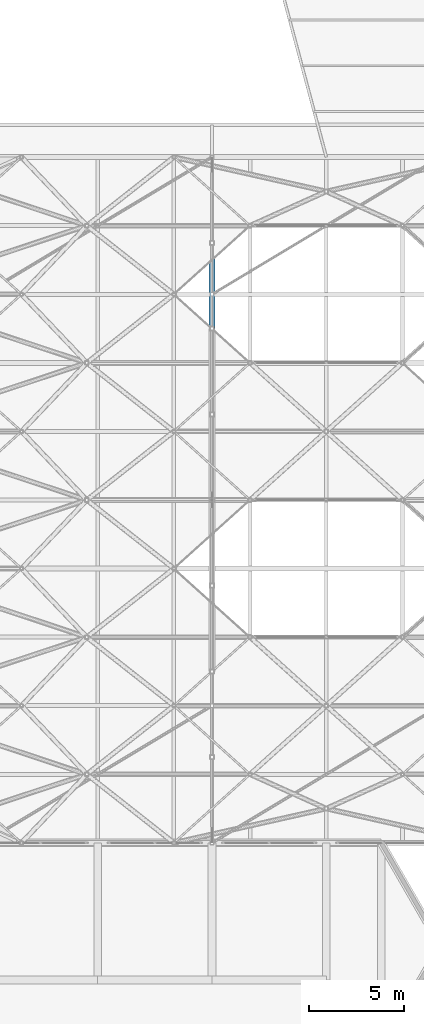
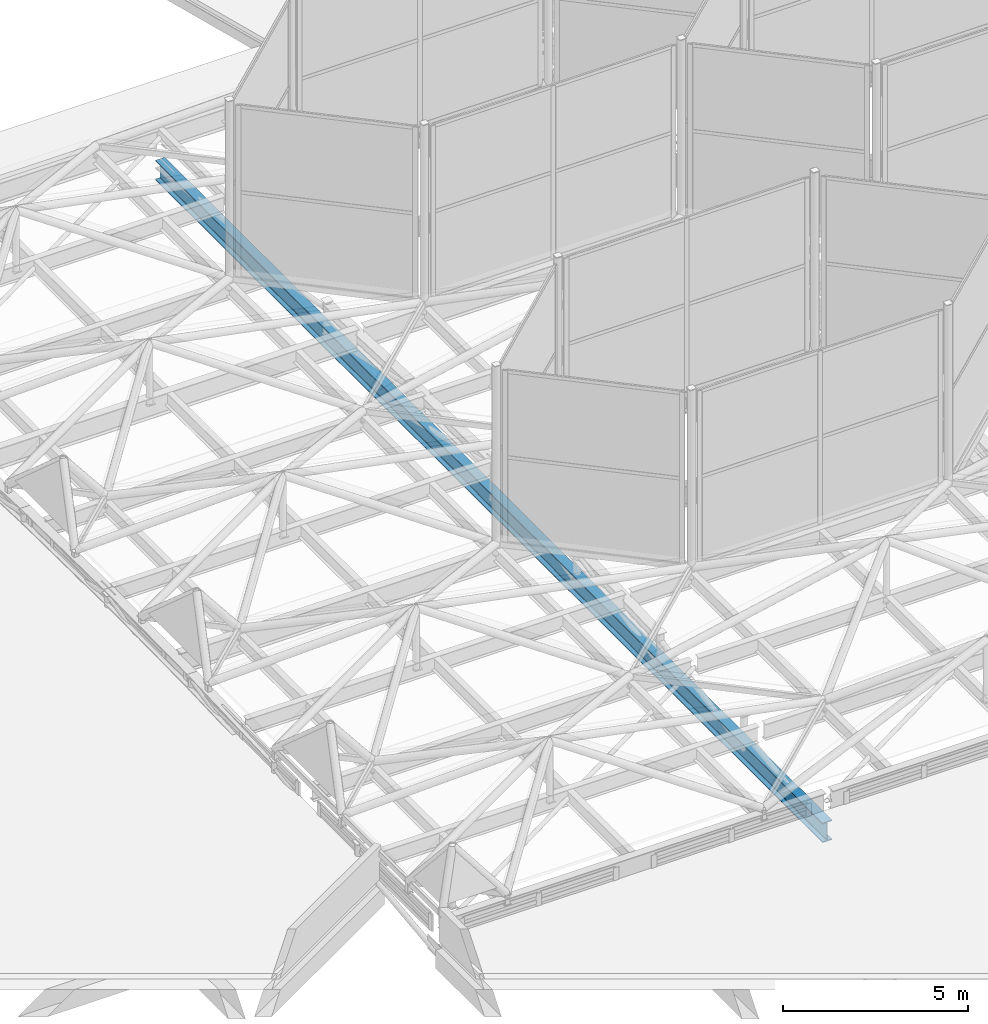
# One storey, part 59 of 239: 1 beam.
"""IFC4 building model written with IfcOpenShell, lengths in metres."""

import ifcopenshell
import ifcopenshell.guid

model = None  # the IFC model being written
_history = None  # IfcOwnerHistory: only IFC2X3 demands one
_inside = {}  # id of a spatial element -> (the spatial element, [elements in it])
_under = {}  # id of a project, library or spatial element -> (it, [spatial elements below it])
_declared = {}  # id of a project -> (the project, [libraries it declares])
_typed = {}  # id of a type object -> (the type object, [elements of that type])
_made_of = {}  # id of a material, layer set ... -> (it, [elements and type objects made of it])


def new_model(schema):
    """Start an empty IFC model of exactly this schema.

    Asked for "IFC4X3", IfcOpenShell would pick the latest addendum, in which some entities
    have other attributes; the version numbers below select the first issue.
    IFC2X3 requires an IfcOwnerHistory on every rooted entity: one is made here for all.
    """
    global model, _history
    if schema == "IFC4X3":
        model = ifcopenshell.file(schema_version=(4, 3, 0, 0))
    else:
        model = ifcopenshell.file(schema=schema)
    _inside.clear()
    _under.clear()
    _declared.clear()
    _typed.clear()
    _made_of.clear()
    _history = None
    if model.schema == "IFC2X3":
        org = make("IfcOrganization", Name="unknown")
        user = make(
            "IfcPersonAndOrganization",
            ThePerson=make("IfcPerson", FamilyName="unknown"),
            TheOrganization=org,
        )
        app = make(
            "IfcApplication",
            ApplicationDeveloper=org,
            Version="unknown",
            ApplicationFullName="unknown",
            ApplicationIdentifier="unknown",
        )
        _history = make(
            "IfcOwnerHistory",
            OwningUser=user,
            OwningApplication=app,
            ChangeAction="ADDED",
            CreationDate=0,
        )
    return model


def make(cls, **values):
    """One entity of the class cls with the attributes given. An attribute that is None is left unset."""
    return model.create_entity(
        cls, **{name: value for name, value in values.items() if value is not None}
    )


def rooted(cls, **values):
    """An entity with a GlobalId (a new one), such as an element, a storey or a relation."""
    return make(cls, GlobalId=ifcopenshell.guid.new(), OwnerHistory=_history, **values)


def si_unit(unit_type, name, prefix=None):
    """IfcSIUnit, for example si_unit("LENGTHUNIT", "METRE", prefix="MILLI")."""
    return make("IfcSIUnit", UnitType=unit_type, Prefix=prefix, Name=name)


def assignment(units):
    """IfcUnitAssignment: the units of a project."""
    return None if units is None else make("IfcUnitAssignment", Units=units)


def point(xyz):
    """IfcCartesianPoint."""
    return None if xyz is None else make("IfcCartesianPoint", Coordinates=xyz)


def direction(xyz):
    """IfcDirection."""
    return None if xyz is None else make("IfcDirection", DirectionRatios=xyz)


def frame(location, z_axis=None, x_axis=None):
    """IfcAxis2Placement3D, a coordinate frame: its origin and axes. An axis left out is left unset."""
    return make(
        "IfcAxis2Placement3D",
        Location=point(location),
        Axis=direction(z_axis),
        RefDirection=direction(x_axis),
    )


def frame_2d(location, x_axis=None):
    """IfcAxis2Placement2D, a coordinate frame in the plane: its origin and x axis."""
    return make(
        "IfcAxis2Placement2D", Location=point(location), RefDirection=direction(x_axis)
    )


def origin():
    """The frame at (0, 0, 0) with its axes left unset."""
    return frame((0.0, 0.0, 0.0))


def origin_2d():
    """The frame at (0, 0) in the plane with its x axis left unset."""
    return frame_2d((0.0, 0.0))


def place(relative_to, where):
    """IfcLocalPlacement: puts the frame where relative to a parent placement (None: the world)."""
    return make(
        "IfcLocalPlacement", PlacementRelTo=relative_to, RelativePlacement=where
    )


def context(
    kind, dimensions, precision=None, world=None, true_north=None, identifier=None
):
    """IfcGeometricRepresentationContext, for example the 3D "Model" context."""
    return make(
        "IfcGeometricRepresentationContext",
        ContextIdentifier=identifier,
        ContextType=kind,
        CoordinateSpaceDimension=dimensions,
        Precision=precision,
        WorldCoordinateSystem=world,
        TrueNorth=true_north,
    )


def subcontext(parent, identifier, kind, view, scale=None):
    """IfcGeometricRepresentationSubContext, for example "Body" below "Model"."""
    return make(
        "IfcGeometricRepresentationSubContext",
        ContextIdentifier=identifier,
        ContextType=kind,
        ParentContext=parent,
        TargetScale=scale,
        TargetView=view,
    )


def project(units=None, contexts=None):
    """IfcProject with its units and contexts."""
    return rooted(
        "IfcProject",
        Name="project",
        RepresentationContexts=contexts,
        UnitsInContext=assignment(units),
    )


def spatial(cls, under=None, at=None, **own):
    """A site, building, storey or space (cls), placed at a placement, below another one or the project."""
    s = rooted(cls, ObjectPlacement=at, **own)
    if under is not None:
        _under.setdefault(under.id(), (under, []))[1].append(s)
    return s


def profile(cls, at=None, kind="AREA", **sizes):
    """A parametric profile (cls). Its sizes go by their IFC names, for example OverallWidth=200.0."""
    return make(cls, ProfileType=kind, Position=at, **sizes)


def i_section(**sizes):
    """IfcIShapeProfileDef."""
    return profile("IfcIShapeProfileDef", **sizes)


def extrude(swept, where, along, depth):
    """IfcExtrudedAreaSolid: the profile swept, set in the frame where, extruded along a direction by depth."""
    return make(
        "IfcExtrudedAreaSolid",
        SweptArea=swept,
        Position=where,
        ExtrudedDirection=direction(along),
        Depth=depth,
    )


def shape(context_of_items, identifier, shape_type, items):
    """IfcShapeRepresentation: the items that make up one representation, for example the "Body"."""
    return make(
        "IfcShapeRepresentation",
        ContextOfItems=context_of_items,
        RepresentationIdentifier=identifier,
        RepresentationType=shape_type,
        Items=items,
    )


def material(Name=None, Category=None):
    """IfcMaterial."""
    return make("IfcMaterial", Name=Name, Category=Category)


def material_profile(
    of_material, cross_section, Name=None, Category=None, Priority=None
):
    """IfcMaterialProfile: a cross section and its material."""
    return make(
        "IfcMaterialProfile",
        Name=Name,
        Material=of_material,
        Profile=cross_section,
        Priority=Priority,
        Category=Category,
    )


def profile_set(profiles, Name=None, composite=None):
    """IfcMaterialProfileSet."""
    return make(
        "IfcMaterialProfileSet",
        Name=Name,
        MaterialProfiles=profiles,
        CompositeProfile=composite,
    )


def made_of(thing, what):
    """Note that an element or type object is made of a material, layer set ...; save() writes the relation."""
    if what is not None:
        _made_of.setdefault(what.id(), (what, []))[1].append(thing)
    return thing


def type_object(cls, material=None, **own):
    """A type object (cls), such as IfcWallType, which elements share."""
    return made_of(rooted(cls, **own), material)


def element(
    cls,
    number,
    at=None,
    inside=None,
    cuts=None,
    type_object=None,
    material=None,
    context=None,
    identifier="Body",
    shape_type=None,
    held_by="IfcProductDefinitionShape",
    body=None,
    shapes=None,
    **own,
):
    """One element of the class cls, such as IfcWall. Its Tag is "e" and its number.

    at: its placement. inside: the storey or other place that contains it. cuts: it is an
    opening in that element (IfcRelVoidsElement). A single representation is given by context,
    identifier, shape_type and body (its items); several are given by shapes. held_by: the class
    of the entity that holds the representations. save() writes the other relations.
    """
    e = rooted(cls, Tag="e%d" % number, ObjectPlacement=at, **own)
    if body is not None:
        shapes = [shape(context, identifier, shape_type, body)]
    if shapes is not None:
        e.Representation = make(held_by, Representations=shapes)
    if inside is not None:
        _inside.setdefault(inside.id(), (inside, []))[1].append(e)
    if cuts is not None:
        rooted(
            "IfcRelVoidsElement", RelatingBuildingElement=cuts, RelatedOpeningElement=e
        )
    if type_object is not None:
        _typed.setdefault(type_object.id(), (type_object, []))[1].append(e)
    return made_of(e, material)


def aggregate(whole, parts):
    """IfcRelAggregates: a whole, such as a stair, and the parts it consists of."""
    return rooted("IfcRelAggregates", RelatingObject=whole, RelatedObjects=parts)


def save(model, path):
    """Write the relations noted so far, then the file.

    IfcRelAggregates (storeys below a building ...), IfcRelContainedInSpatialStructure (elements
    in a storey), IfcRelDefinesByType, IfcRelAssociatesMaterial and IfcRelDeclares: one each for
    every whole, place, type object, material and project.
    """
    for whole, parts in _under.values():
        aggregate(whole, parts)
    for where, things in _inside.values():
        rooted(
            "IfcRelContainedInSpatialStructure",
            RelatedElements=things,
            RelatingStructure=where,
        )
    for kind, things in _typed.values():
        rooted("IfcRelDefinesByType", RelatedObjects=things, RelatingType=kind)
    for what, things in _made_of.values():
        rooted("IfcRelAssociatesMaterial", RelatedObjects=things, RelatingMaterial=what)
    for by, libraries in _declared.values():
        rooted("IfcRelDeclares", RelatingContext=by, RelatedDefinitions=libraries)
    model.write(path)


model = new_model("IFC4")

# Units and contexts
model_context = context("Model", 3, precision=1e-05, world=origin(), true_north=direction((0.0, 1.0)))
body_context = subcontext(model_context, "Body", "Model", "MODEL_VIEW")
ifc_project = project(units=[si_unit("LENGTHUNIT", "METRE"), si_unit("AREAUNIT", "SQUARE_METRE"), si_unit("VOLUMEUNIT", "CUBIC_METRE"), si_unit("PLANEANGLEUNIT", "RADIAN"), si_unit("MASSUNIT", "GRAM", prefix="KILO")], contexts=[model_context])

# Site, building, storey
site_placement = place(None, origin())
site = spatial("IfcSite", under=ifc_project, at=site_placement, CompositionType="ELEMENT")
building_placement = place(site_placement, origin())
building = spatial("IfcBuilding", under=site, at=building_placement, Name="Dunvalen Ferry Terminal", CompositionType="ELEMENT")
storey_placement = place(building_placement, frame((0.0, 0.0, 9.840087890625)))
storey = spatial("IfcBuildingStorey", under=building, at=storey_placement, Name="L02", CompositionType="ELEMENT", Elevation=9.840087890625)

# Beam
ifc_material = material(Name="Steel S355", Category="steel")
ifc_material_profile = material_profile(ifc_material, i_section(OverallWidth=0.300048828125, OverallDepth=0.64990234375, WebThickness=0.01611328125, FlangeThickness=0.031005859375, FilletRadius=0.027099609375, at=origin_2d()), Name="Steel S355")
ifc_profile_set = profile_set([ifc_material_profile], Name="Steel S355")
beam_type = type_object("IfcBeamType", Name="STR-BM-HEB650", PredefinedType="BEAM", material=ifc_profile_set)
beam_placement = place(storey_placement, frame((24.0, 50.39990234375, -0.360107421875), z_axis=(0.0, 1.0, 0.0), x_axis=(-1.0, 0.0, 0.0)))
element("IfcBeam", 1, at=beam_placement, inside=storey, type_object=beam_type, Name="Departure Hall Tied-Arch Tie Girder 02", PredefinedType="BEAM", context=body_context, shape_type="SweptSolid", body=[
    extrude(i_section(OverallWidth=0.300048828125, OverallDepth=0.64990234375, WebThickness=0.01611328125, FlangeThickness=0.031005859375, FilletRadius=0.027099609375, at=origin_2d()), origin(), (0.0, 0.0, 1.0), 36.0),
])

save(model, "model.ifc")
